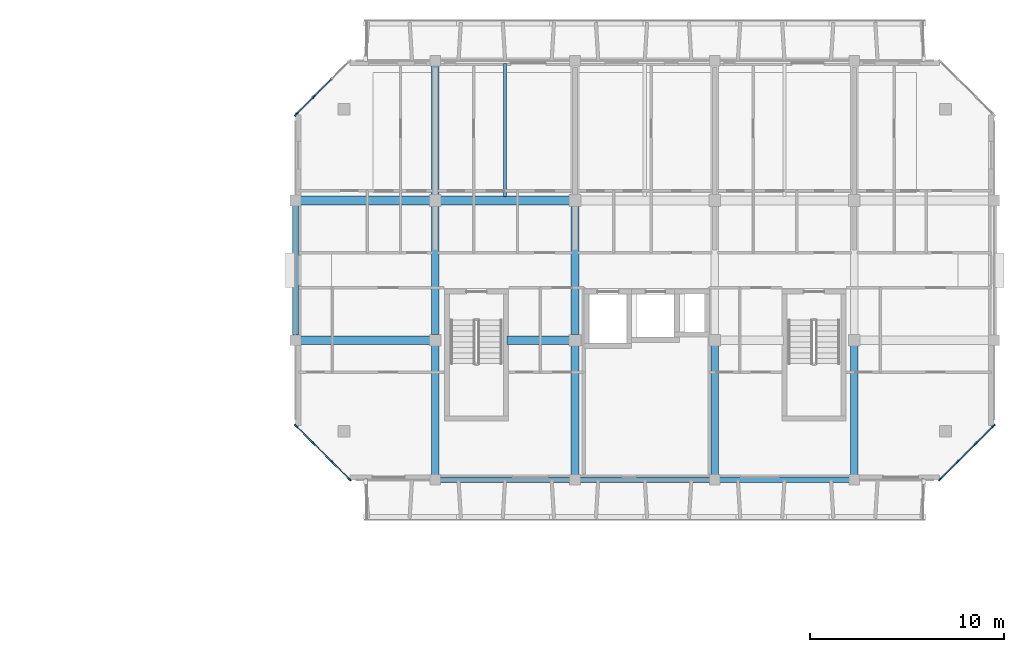
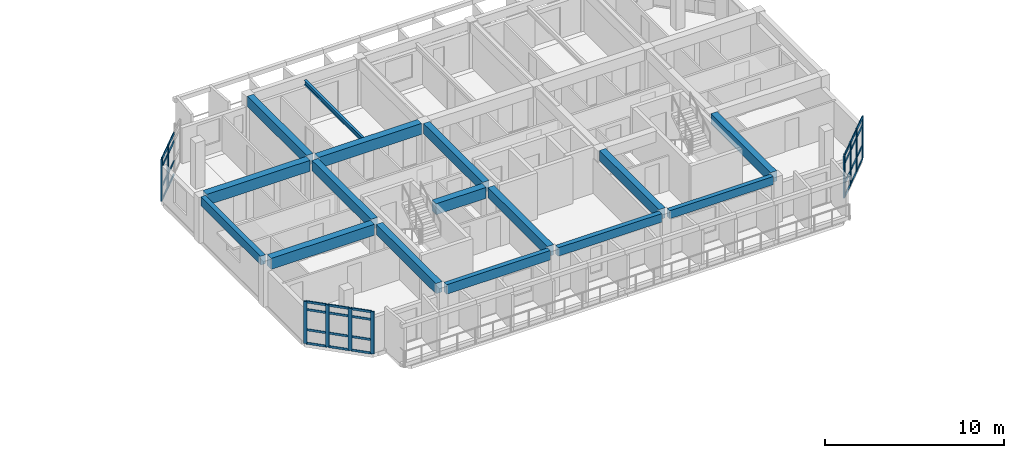
# One storey, part 10 of 51: 42 members, 16 beams, 3 elements without a shape of their own.
"""IFC4 building model written with IfcOpenShell, lengths in metres."""

from ifc_helpers import new_model, si_unit, direction, frame, origin, origin_2d, place, context, subcontext, project, spatial, rectangle, i_section, extrude, material, layer, layer_set, material_profile, profile_set, type_object, element, aggregate, save


model = new_model("IFC4")

# Units and contexts
model_context = context("Model", 3, precision=1e-05, world=origin(), true_north=direction((0.0, 1.0)))
body_context = subcontext(model_context, "Body", "Model", "MODEL_VIEW")
ifc_project = project(units=[si_unit("LENGTHUNIT", "METRE"), si_unit("AREAUNIT", "SQUARE_METRE"), si_unit("VOLUMEUNIT", "CUBIC_METRE"), si_unit("PLANEANGLEUNIT", "RADIAN"), si_unit("MASSUNIT", "GRAM", prefix="KILO")], contexts=[model_context])

# Site, building, storey
site_placement = place(None, origin())
site = spatial("IfcSite", under=ifc_project, at=site_placement, CompositionType="ELEMENT")
building_placement = place(site_placement, origin())
building = spatial("IfcBuilding", under=site, at=building_placement, Name="Ochrevale Crest", CompositionType="ELEMENT")
storey_placement = place(building_placement, frame((0.0, 0.0, 11.85009765625)))
storey = spatial("IfcBuildingStorey", under=building, at=storey_placement, Name="L03", CompositionType="ELEMENT", Elevation=11.85009765625)

# Beams
ifc_material_1 = material(Name="Precast concrete C50/60", Category="concrete")
ifc_material_profile_1 = material_profile(ifc_material_1, rectangle(XDim=0.39990234375, YDim=0.699951171875, at=origin_2d()), Name="PC 400x700")
ifc_profile_set_1 = profile_set([ifc_material_profile_1], Name="Precast concrete C50/60")
beam_type_1 = type_object("IfcBeamType", Name="BM-PC400x700", PredefinedType="BEAM", material=ifc_profile_set_1)
beam_1_placement = place(storey_placement, frame((136.800048828125, 72.2548828125, 2.7998046875), z_axis=(0.0, 1.0, 0.0), x_axis=(-1.0, 0.0, 0.0)))
element("IfcBeam", 1, at=beam_1_placement, inside=storey, type_object=beam_type_1, Name="Block D L03 N-S beam X=136.8", PredefinedType="BEAM", context=body_context, shape_type="SweptSolid", body=[
    extrude(rectangle(XDim=0.39990234375, YDim=0.699951171875, at=origin_2d()), origin(), (0.0, 0.0, 1.0), 6.6650390625),
])
beam_2_placement = place(storey_placement, frame((136.800048828125, 79.47998046875, 2.7998046875), z_axis=(0.0, 1.0, 0.0), x_axis=(-1.0, 0.0, 0.0)))
element("IfcBeam", 2, at=beam_2_placement, inside=storey, type_object=beam_type_1, Name="Block D L03 N-S beam X=136.8", PredefinedType="BEAM", context=body_context, shape_type="SweptSolid", body=[
    extrude(rectangle(XDim=0.39990234375, YDim=0.699951171875, at=origin_2d()), origin(), (0.0, 0.0, 1.0), 6.64013671875),
])
for number, where, z_axis, x_axis, name in (
    (3, (136.800048828125, 86.679931640625, 2.7998046875), (0.0, 1.0, 0.0), (-1.0, 0.0, 0.0), "Block D L03 N-S beam X=136.8"),
    (4, (144.0, 72.2548828125, 2.7998046875), (0.0, 1.0, 0.0), (-1.0, 0.0, 0.0), "Block D L03 N-S beam X=144.0"),
):
    element("IfcBeam", number, at=place(storey_placement, frame(where, z_axis=z_axis, x_axis=x_axis)), inside=storey, type_object=beam_type_1, Name=name, PredefinedType="BEAM", context=body_context, shape_type="SweptSolid", body=[
        extrude(rectangle(XDim=0.39990234375, YDim=0.699951171875, at=origin_2d()), origin(), (0.0, 0.0, 1.0), 6.6650390625),
    ])
beam_3_placement = place(storey_placement, frame((144.0, 79.47998046875, 2.7998046875), z_axis=(0.0, 1.0, 0.0), x_axis=(-1.0, 0.0, 0.0)))
element("IfcBeam", 5, at=beam_3_placement, inside=storey, type_object=beam_type_1, Name="Block D L03 N-S beam X=144.0", PredefinedType="BEAM", context=body_context, shape_type="SweptSolid", body=[
    extrude(rectangle(XDim=0.39990234375, YDim=0.699951171875, at=origin_2d()), origin(), (0.0, 0.0, 1.0), 6.64013671875),
])
for number, where, z_axis, x_axis, name in (
    (6, (151.199951171875, 72.2548828125, 2.7998046875), (0.0, 1.0, 0.0), (-1.0, 0.0, 0.0), "Block D L03 N-S beam X=151.2"),
    (7, (158.39990234375, 72.2548828125, 2.7998046875), (0.0, 1.0, 0.0), (-1.0, 0.0, 0.0), "Block D L03 N-S beam X=158.4"),
):
    element("IfcBeam", number, at=place(storey_placement, frame(where, z_axis=z_axis, x_axis=x_axis)), inside=storey, type_object=beam_type_1, Name=name, PredefinedType="BEAM", context=body_context, shape_type="SweptSolid", body=[
        extrude(rectangle(XDim=0.39990234375, YDim=0.699951171875, at=origin_2d()), origin(), (0.0, 0.0, 1.0), 6.6650390625),
    ])
ifc_material_2 = material(Name="Concrete C50/60", Category="concrete")
ifc_material_profile_2 = material_profile(ifc_material_2, rectangle(XDim=0.449951171875, YDim=0.75, at=origin_2d()), Name="RC 450x750")
ifc_profile_set_2 = profile_set([ifc_material_profile_2], Name="Concrete C50/60")
beam_type_2 = type_object("IfcBeamType", Name="BM-PG450x750", PredefinedType="USERDEFINED", material=ifc_profile_set_2)
beam_4_placement = place(storey_placement, frame((129.85009765625, 79.199951171875, 2.77490234375), z_axis=(1.0, 0.0, 0.0), x_axis=(0.0, 1.0, 0.0)))
element("IfcBeam", 8, at=beam_4_placement, inside=storey, type_object=beam_type_2, Name="Block D L03 E-W beam Y=79.2", ObjectType="GIRDER", PredefinedType="USERDEFINED", context=body_context, shape_type="SweptSolid", body=[
    extrude(rectangle(XDim=0.449951171875, YDim=0.75, at=origin_2d()), origin(), (0.0, 0.0, 1.0), 6.6748046875),
])
beam_5_placement = place(storey_placement, frame((140.489990234375, 79.199951171875, 2.77490234375), z_axis=(1.0, 0.0, 0.0), x_axis=(0.0, 1.0, 0.0)))
element("IfcBeam", 9, at=beam_5_placement, inside=storey, type_object=beam_type_2, Name="Block D L03 E-W beam Y=79.2", ObjectType="GIRDER", PredefinedType="USERDEFINED", context=body_context, shape_type="SweptSolid", body=[
    extrude(rectangle(XDim=0.449951171875, YDim=0.75, at=origin_2d()), origin(), (0.0, 0.0, 1.0), 3.235107421875),
])
beam_6_placement = place(storey_placement, frame((129.85009765625, 86.39990234375, 2.77490234375), z_axis=(1.0, 0.0, 0.0), x_axis=(0.0, 1.0, 0.0)))
element("IfcBeam", 10, at=beam_6_placement, inside=storey, type_object=beam_type_2, Name="Block D L03 E-W beam Y=86.4", ObjectType="GIRDER", PredefinedType="USERDEFINED", context=body_context, shape_type="SweptSolid", body=[
    extrude(rectangle(XDim=0.449951171875, YDim=0.75, at=origin_2d()), origin(), (0.0, 0.0, 1.0), 6.6748046875),
])
beam_7_placement = place(storey_placement, frame((137.074951171875, 86.39990234375, 2.77490234375), z_axis=(1.0, 0.0, 0.0), x_axis=(0.0, 1.0, 0.0)))
element("IfcBeam", 11, at=beam_7_placement, inside=storey, type_object=beam_type_2, Name="Block D L03 E-W beam Y=86.4", ObjectType="GIRDER", PredefinedType="USERDEFINED", context=body_context, shape_type="SweptSolid", body=[
    extrude(rectangle(XDim=0.449951171875, YDim=0.75, at=origin_2d()), origin(), (0.0, 0.0, 1.0), 6.650146484375),
])
ifc_material_3 = material(Name="Precast concrete C40/50", Category="concrete")
ifc_material_profile_3 = material_profile(ifc_material_3, rectangle(XDim=0.280029296875, YDim=0.550048828125, at=origin_2d()), Name="PC 280x550")
ifc_profile_set_3 = profile_set([ifc_material_profile_3], Name="Precast concrete C40/50")
beam_type_3 = type_object("IfcBeamType", Name="BM-SP280x550", PredefinedType="SPANDREL", material=ifc_profile_set_3)
beam_8_placement = place(storey_placement, frame((151.449951171875, 72.0, 2.875), z_axis=(1.0, 0.0, 0.0), x_axis=(0.0, 1.0, 0.0)))
element("IfcBeam", 12, at=beam_8_placement, inside=storey, type_object=beam_type_3, Name="Block D L03 E-W beam Y=72.0", PredefinedType="SPANDREL", context=body_context, shape_type="SweptSolid", body=[
    extrude(rectangle(XDim=0.280029296875, YDim=0.550048828125, at=origin_2d()), origin(), (0.0, 0.0, 1.0), 6.699951171875),
])
ifc_material_profile_4 = material_profile(ifc_material_3, rectangle(XDim=0.300048828125, YDim=0.580078125, at=origin_2d()), Name="PC 300x580")
ifc_profile_set_4 = profile_set([ifc_material_profile_4], Name="Precast concrete C40/50")
beam_type_4 = type_object("IfcBeamType", Name="BM-SP300x580", PredefinedType="SPANDREL", material=ifc_profile_set_4)
beam_9_placement = place(storey_placement, frame((144.25, 72.0, 2.85986328125), z_axis=(1.0, 0.0, 0.0), x_axis=(0.0, 1.0, 0.0)))
element("IfcBeam", 13, at=beam_9_placement, inside=storey, type_object=beam_type_4, Name="Block D L03 E-W beam Y=72.0", PredefinedType="SPANDREL", context=body_context, shape_type="SweptSolid", body=[
    extrude(rectangle(XDim=0.300048828125, YDim=0.580078125, at=origin_2d()), origin(), (0.0, 0.0, 1.0), 6.699951171875),
])
ifc_material_profile_5 = material_profile(ifc_material_3, rectangle(XDim=0.300048828125, YDim=0.60009765625, at=origin_2d()), Name="PC 300x600")
ifc_profile_set_5 = profile_set([ifc_material_profile_5], Name="Precast concrete C40/50")
beam_type_5 = type_object("IfcBeamType", Name="BM-SP300x600", PredefinedType="SPANDREL", material=ifc_profile_set_5)
beam_10_placement = place(storey_placement, frame((129.60009765625, 79.455078125, 2.849853515625), z_axis=(0.0, 1.0, 0.0), x_axis=(-1.0, 0.0, 0.0)))
element("IfcBeam", 14, at=beam_10_placement, inside=storey, type_object=beam_type_5, Name="Block D L03 N-S beam X=129.6", PredefinedType="SPANDREL", context=body_context, shape_type="SweptSolid", body=[
    extrude(rectangle(XDim=0.300048828125, YDim=0.60009765625, at=origin_2d()), origin(), (0.0, 0.0, 1.0), 6.68994140625),
])
ifc_material_profile_6 = material_profile(ifc_material_3, rectangle(XDim=0.300048828125, YDim=0.64990234375, at=origin_2d()), Name="PC 300x650")
ifc_profile_set_6 = profile_set([ifc_material_profile_6], Name="Precast concrete C40/50")
beam_type_6 = type_object("IfcBeamType", Name="BM-SP300x650", PredefinedType="SPANDREL", material=ifc_profile_set_6)
beam_11_placement = place(storey_placement, frame((137.050048828125, 72.0, 2.824951171875), z_axis=(1.0, 0.0, 0.0), x_axis=(0.0, 1.0, 0.0)))
element("IfcBeam", 15, at=beam_11_placement, inside=storey, type_object=beam_type_6, Name="Block D L03 E-W beam Y=72.0", PredefinedType="SPANDREL", context=body_context, shape_type="SweptSolid", body=[
    extrude(rectangle(XDim=0.300048828125, YDim=0.64990234375, at=origin_2d()), origin(), (0.0, 0.0, 1.0), 6.699951171875),
])
ifc_material_4 = material(Name="Steel S355", Category="steel")
ifc_material_profile_7 = material_profile(ifc_material_4, i_section(OverallWidth=0.1650390625, OverallDepth=0.3037109375, WebThickness=0.006103515625, FlangeThickness=0.01025390625, FilletRadius=0.011474609375, at=origin_2d()), Name="310UB40.4")
ifc_profile_set_7 = profile_set([ifc_material_profile_7], Name="Steel S355")
beam_type_7 = type_object("IfcBeamType", Name="BM-UB310A", PredefinedType="BEAM", material=ifc_profile_set_7)
beam_12_placement = place(storey_placement, frame((140.39990234375, 86.613037109375, 2.722900390625), z_axis=(0.0, 1.0, 0.0), x_axis=(-1.0, 0.0, 0.0)))
element("IfcBeam", 16, at=beam_12_placement, inside=storey, type_object=beam_type_7, Name="Block D L03 composite plank trimmer beam 2", PredefinedType="BEAM", context=body_context, shape_type="SweptSolid", body=[
    extrude(i_section(OverallWidth=0.1650390625, OverallDepth=0.3037109375, WebThickness=0.006103515625, FlangeThickness=0.01025390625, FilletRadius=0.011474609375, at=origin_2d()), origin(), (0.0, 0.0, 1.0), 6.848876953125),
])

# Curtain wall, members
ifc_material_5 = material(Name="Anodised aluminium 6063-T5", Category="aluminium")
ifc_layer_1 = layer(ifc_material_5, 0.14990234375)
ifc_layer_set_1 = layer_set([ifc_layer_1], Name="Anodised aluminium 6063-T5")
curtain_wall_type_1 = type_object("IfcCurtainWallType", Name="CW-WG-240x285", PredefinedType="NOTDEFINED", material=ifc_layer_set_1)
curtain_wall_1_placement = place(storey_placement, origin())
curtain_wall_1 = element("IfcCurtainWall", 17, at=curtain_wall_1_placement, inside=storey, type_object=curtain_wall_type_1, Name="Block D L03 chamfered corner wintergarden curtain wall 2", PredefinedType="NOTDEFINED")
ifc_material_profile_8 = material_profile(ifc_material_5, rectangle(XDim=0.074951171875, YDim=0.219970703125, at=origin_2d()), Name="ALU 75x220")
ifc_profile_set_8 = profile_set([ifc_material_profile_8], Name="Anodised aluminium 6063-T5")
member_type_1 = type_object("IfcMemberType", Name="CW-MUL-75x220", PredefinedType="MULLION", material=ifc_profile_set_8)
member_1_placement = place(storey_placement, frame((162.826416015625, 72.026611328125, 0.0), z_axis=(0.0, 0.0, 1.0), x_axis=(-0.707106781187, 0.707106781187, 0.0)))
member_1 = element("IfcMember", 18, at=member_1_placement, type_object=member_type_1, Name="CW15 mullion 1", PredefinedType="MULLION", context=body_context, shape_type="SweptSolid", body=[
    extrude(rectangle(XDim=0.074951171875, YDim=0.219970703125, at=origin_2d()), origin(), (0.0, 0.0, 1.0), 2.875),
])
member_2_placement = place(storey_placement, frame((163.7333984375, 72.933349609375, 0.0), z_axis=(0.0, 0.0, 1.0), x_axis=(-0.707106781187, 0.707106781187, 0.0)))
member_2 = element("IfcMember", 19, at=member_2_placement, type_object=member_type_1, Name="CW15 mullion 2", PredefinedType="MULLION", context=body_context, shape_type="SweptSolid", body=[
    extrude(rectangle(XDim=0.074951171875, YDim=0.219970703125, at=origin_2d()), origin(), (0.0, 0.0, 1.0), 2.875),
])
member_3_placement = place(storey_placement, frame((164.666748046875, 73.86669921875, 0.0), z_axis=(0.0, 0.0, 1.0), x_axis=(-0.707106781187, 0.707106781187, 0.0)))
member_3 = element("IfcMember", 20, at=member_3_placement, type_object=member_type_1, Name="CW15 mullion 3", PredefinedType="MULLION", context=body_context, shape_type="SweptSolid", body=[
    extrude(rectangle(XDim=0.074951171875, YDim=0.219970703125, at=origin_2d()), origin(), (0.0, 0.0, 1.0), 2.875),
])
member_4_placement = place(storey_placement, frame((165.573486328125, 74.7734375, 0.0), z_axis=(0.0, 0.0, 1.0), x_axis=(-0.707106781187, 0.707106781187, 0.0)))
member_4 = element("IfcMember", 21, at=member_4_placement, type_object=member_type_1, Name="CW15 mullion 4", PredefinedType="MULLION", context=body_context, shape_type="SweptSolid", body=[
    extrude(rectangle(XDim=0.074951171875, YDim=0.219970703125, at=origin_2d()), origin(), (0.0, 0.0, 1.0), 2.875),
])

ifc_layer_2 = layer(ifc_material_5, 0.14990234375)
ifc_layer_set_2 = layer_set([ifc_layer_2], Name="Anodised aluminium 6063-T5")
curtain_wall_type_2 = type_object("IfcCurtainWallType", Name="CW-WG-420x285", PredefinedType="NOTDEFINED", material=ifc_layer_set_2)
curtain_wall_2_placement = place(storey_placement, origin())
curtain_wall_2 = element("IfcCurtainWall", 22, at=curtain_wall_2_placement, inside=storey, type_object=curtain_wall_type_2, Name="Block D L03 chamfered corner wintergarden curtain wall 6", PredefinedType="NOTDEFINED")
member_5_placement = place(storey_placement, frame((130.533447265625, 91.7333984375, 0.0), z_axis=(0.0, 0.0, 1.0), x_axis=(0.707106781187, -0.707106781187, 0.0)))
member_5 = element("IfcMember", 23, at=member_5_placement, type_object=member_type_1, Name="CW22 mullion 3", PredefinedType="MULLION", context=body_context, shape_type="SweptSolid", body=[
    extrude(rectangle(XDim=0.074951171875, YDim=0.219970703125, at=origin_2d()), origin(), (0.0, 0.0, 1.0), 2.875),
])
member_6_placement = place(storey_placement, frame((129.62646484375, 90.826416015625, 0.0), z_axis=(0.0, 0.0, 1.0), x_axis=(0.707106781187, -0.707106781187, 0.0)))
member_6 = element("IfcMember", 24, at=member_6_placement, type_object=member_type_1, Name="CW22 mullion 4", PredefinedType="MULLION", context=body_context, shape_type="SweptSolid", body=[
    extrude(rectangle(XDim=0.074951171875, YDim=0.219970703125, at=origin_2d()), origin(), (0.0, 0.0, 1.0), 2.875),
])

ifc_layer_3 = layer(ifc_material_5, 0.14990234375)
ifc_layer_set_3 = layer_set([ifc_layer_3], Name="Anodised aluminium 6063-T5")
curtain_wall_type_3 = type_object("IfcCurtainWallType", Name="CW-WG-280x285", PredefinedType="NOTDEFINED", material=ifc_layer_set_3)
curtain_wall_3_placement = place(storey_placement, origin())
curtain_wall_3 = element("IfcCurtainWall", 25, at=curtain_wall_3_placement, inside=storey, type_object=curtain_wall_type_3, Name="Block D L03 chamfered corner wintergarden curtain wall 8", PredefinedType="NOTDEFINED")
member_7_placement = place(storey_placement, frame((129.62646484375, 74.7734375, 0.0), z_axis=(0.0, 0.0, 1.0), x_axis=(0.707106781187, 0.707106781187, 0.0)))
member_7 = element("IfcMember", 26, at=member_7_placement, type_object=member_type_1, Name="CW16 mullion 1", PredefinedType="MULLION", context=body_context, shape_type="SweptSolid", body=[
    extrude(rectangle(XDim=0.074951171875, YDim=0.219970703125, at=origin_2d()), origin(), (0.0, 0.0, 1.0), 2.875),
])
member_8_placement = place(storey_placement, frame((130.533447265625, 73.86669921875, 0.0), z_axis=(0.0, 0.0, 1.0), x_axis=(0.707106781187, 0.707106781187, 0.0)))
member_8 = element("IfcMember", 27, at=member_8_placement, type_object=member_type_1, Name="CW16 mullion 2", PredefinedType="MULLION", context=body_context, shape_type="SweptSolid", body=[
    extrude(rectangle(XDim=0.074951171875, YDim=0.219970703125, at=origin_2d()), origin(), (0.0, 0.0, 1.0), 2.875),
])
member_9_placement = place(storey_placement, frame((131.466552734375, 72.933349609375, 0.0), z_axis=(0.0, 0.0, 1.0), x_axis=(0.707106781187, 0.707106781187, 0.0)))
member_9 = element("IfcMember", 28, at=member_9_placement, type_object=member_type_1, Name="CW16 mullion 3", PredefinedType="MULLION", context=body_context, shape_type="SweptSolid", body=[
    extrude(rectangle(XDim=0.074951171875, YDim=0.219970703125, at=origin_2d()), origin(), (0.0, 0.0, 1.0), 2.875),
])
member_10_placement = place(storey_placement, frame((132.37353515625, 72.026611328125, 0.0), z_axis=(0.0, 0.0, 1.0), x_axis=(0.707106781187, 0.707106781187, 0.0)))
member_10 = element("IfcMember", 29, at=member_10_placement, type_object=member_type_1, Name="CW16 mullion 4", PredefinedType="MULLION", context=body_context, shape_type="SweptSolid", body=[
    extrude(rectangle(XDim=0.074951171875, YDim=0.219970703125, at=origin_2d()), origin(), (0.0, 0.0, 1.0), 2.875),
])

# Member
ifc_material_profile_9 = material_profile(ifc_material_5, rectangle(XDim=0.06005859375, YDim=0.14990234375, at=origin_2d()), Name="ALU 60x150")
ifc_profile_set_9 = profile_set([ifc_material_profile_9], Name="Anodised aluminium 6063-T5")
member_type_2 = type_object("IfcMemberType", Name="CW-TRN-60x150", PredefinedType="USERDEFINED", material=ifc_profile_set_9)
member_11_placement = place(storey_placement, frame((162.85302734375, 72.052978515625, 0.02978515625), z_axis=(0.707106781187, 0.707106781187, 0.0), x_axis=(-0.707106781187, 0.707106781187, 0.0)))
member_11 = element("IfcMember", 30, at=member_11_placement, type_object=member_type_2, Name="CW15 transom 1.1", ObjectType="TRANSOM", PredefinedType="USERDEFINED", context=body_context, shape_type="SweptSolid", body=[
    extrude(rectangle(XDim=0.06005859375, YDim=0.14990234375, at=origin_2d()), origin(), (0.0, 0.0, 1.0), 1.20751953125),
])

member_12_placement = place(storey_placement, frame((162.85302734375, 72.052978515625, 0.949951171875), z_axis=(0.707106781187, 0.707106781187, 0.0), x_axis=(-0.707106781187, 0.707106781187, 0.0)))
member_12 = element("IfcMember", 31, at=member_12_placement, type_object=member_type_2, Name="CW15 transom 1.2", ObjectType="TRANSOM", PredefinedType="USERDEFINED", context=body_context, shape_type="SweptSolid", body=[
    extrude(rectangle(XDim=0.06005859375, YDim=0.14990234375, at=origin_2d()), origin(), (0.0, 0.0, 1.0), 1.20751953125),
])

member_13_placement = place(storey_placement, frame((162.85302734375, 72.052978515625, 2.324951171875), z_axis=(0.707106781187, 0.707106781187, 0.0), x_axis=(-0.707106781187, 0.707106781187, 0.0)))
member_13 = element("IfcMember", 32, at=member_13_placement, type_object=member_type_2, Name="CW15 transom 1.3", ObjectType="TRANSOM", PredefinedType="USERDEFINED", context=body_context, shape_type="SweptSolid", body=[
    extrude(rectangle(XDim=0.06005859375, YDim=0.14990234375, at=origin_2d()), origin(), (0.0, 0.0, 1.0), 1.20751953125),
])

member_14_placement = place(storey_placement, frame((162.85302734375, 72.052978515625, 2.844970703125), z_axis=(0.707106781187, 0.707106781187, 0.0), x_axis=(-0.707106781187, 0.707106781187, 0.0)))
member_14 = element("IfcMember", 33, at=member_14_placement, type_object=member_type_2, Name="CW15 transom 1.4", ObjectType="TRANSOM", PredefinedType="USERDEFINED", context=body_context, shape_type="SweptSolid", body=[
    extrude(rectangle(XDim=0.06005859375, YDim=0.14990234375, at=origin_2d()), origin(), (0.0, 0.0, 1.0), 1.20751953125),
])

member_15_placement = place(storey_placement, frame((163.759765625, 72.9599609375, 0.02978515625), z_axis=(0.707204833848, 0.707008714926, 0.0), x_axis=(-0.707008714926, 0.707204833848, 0.0)))
member_15 = element("IfcMember", 34, at=member_15_placement, type_object=member_type_2, Name="CW15 transom 2.1", ObjectType="TRANSOM", PredefinedType="USERDEFINED", context=body_context, shape_type="SweptSolid", body=[
    extrude(rectangle(XDim=0.06005859375, YDim=0.14990234375, at=origin_2d()), origin(), (0.0, 0.0, 1.0), 1.244873046875),
])

member_16_placement = place(storey_placement, frame((163.759765625, 72.9599609375, 0.949951171875), z_axis=(0.707204833848, 0.707008714926, 0.0), x_axis=(-0.707008714926, 0.707204833848, 0.0)))
member_16 = element("IfcMember", 35, at=member_16_placement, type_object=member_type_2, Name="CW15 transom 2.2", ObjectType="TRANSOM", PredefinedType="USERDEFINED", context=body_context, shape_type="SweptSolid", body=[
    extrude(rectangle(XDim=0.06005859375, YDim=0.14990234375, at=origin_2d()), origin(), (0.0, 0.0, 1.0), 1.244873046875),
])

member_17_placement = place(storey_placement, frame((163.759765625, 72.9599609375, 2.324951171875), z_axis=(0.707204833848, 0.707008714926, 0.0), x_axis=(-0.707008714926, 0.707204833848, 0.0)))
member_17 = element("IfcMember", 36, at=member_17_placement, type_object=member_type_2, Name="CW15 transom 2.3", ObjectType="TRANSOM", PredefinedType="USERDEFINED", context=body_context, shape_type="SweptSolid", body=[
    extrude(rectangle(XDim=0.06005859375, YDim=0.14990234375, at=origin_2d()), origin(), (0.0, 0.0, 1.0), 1.244873046875),
])

member_18_placement = place(storey_placement, frame((163.759765625, 72.9599609375, 2.844970703125), z_axis=(0.707204833848, 0.707008714926, 0.0), x_axis=(-0.707008714926, 0.707204833848, 0.0)))
member_18 = element("IfcMember", 37, at=member_18_placement, type_object=member_type_2, Name="CW15 transom 2.4", ObjectType="TRANSOM", PredefinedType="USERDEFINED", context=body_context, shape_type="SweptSolid", body=[
    extrude(rectangle(XDim=0.06005859375, YDim=0.14990234375, at=origin_2d()), origin(), (0.0, 0.0, 1.0), 1.244873046875),
])

member_19_placement = place(storey_placement, frame((164.693115234375, 73.89306640625, 0.02978515625), z_axis=(0.707005686502, 0.70720786142, 0.0), x_axis=(-0.70720786142, 0.707005686502, 0.0)))
member_19 = element("IfcMember", 38, at=member_19_placement, type_object=member_type_2, Name="CW15 transom 3.1", ObjectType="TRANSOM", PredefinedType="USERDEFINED", context=body_context, shape_type="SweptSolid", body=[
    extrude(rectangle(XDim=0.06005859375, YDim=0.14990234375, at=origin_2d()), origin(), (0.0, 0.0, 1.0), 1.20751953125),
])

member_20_placement = place(storey_placement, frame((164.693115234375, 73.89306640625, 0.949951171875), z_axis=(0.707005686502, 0.70720786142, 0.0), x_axis=(-0.70720786142, 0.707005686502, 0.0)))
member_20 = element("IfcMember", 39, at=member_20_placement, type_object=member_type_2, Name="CW15 transom 3.2", ObjectType="TRANSOM", PredefinedType="USERDEFINED", context=body_context, shape_type="SweptSolid", body=[
    extrude(rectangle(XDim=0.06005859375, YDim=0.14990234375, at=origin_2d()), origin(), (0.0, 0.0, 1.0), 1.20751953125),
])

member_21_placement = place(storey_placement, frame((164.693115234375, 73.89306640625, 2.324951171875), z_axis=(0.707005686502, 0.70720786142, 0.0), x_axis=(-0.70720786142, 0.707005686502, 0.0)))
member_21 = element("IfcMember", 40, at=member_21_placement, type_object=member_type_2, Name="CW15 transom 3.3", ObjectType="TRANSOM", PredefinedType="USERDEFINED", context=body_context, shape_type="SweptSolid", body=[
    extrude(rectangle(XDim=0.06005859375, YDim=0.14990234375, at=origin_2d()), origin(), (0.0, 0.0, 1.0), 1.20751953125),
])

member_22_placement = place(storey_placement, frame((164.693115234375, 73.89306640625, 2.844970703125), z_axis=(0.707005686502, 0.70720786142, 0.0), x_axis=(-0.70720786142, 0.707005686502, 0.0)))
member_22 = element("IfcMember", 41, at=member_22_placement, type_object=member_type_2, Name="CW15 transom 3.4", ObjectType="TRANSOM", PredefinedType="USERDEFINED", context=body_context, shape_type="SweptSolid", body=[
    extrude(rectangle(XDim=0.06005859375, YDim=0.14990234375, at=origin_2d()), origin(), (0.0, 0.0, 1.0), 1.20751953125),
])

aggregate(curtain_wall_1, [member_1, member_2, member_3, member_4, member_11, member_12, member_13, member_14, member_15, member_16, member_17, member_18, member_19, member_20, member_21, member_22])

member_23_placement = place(storey_placement, frame((131.440185546875, 92.64013671875, 0.02978515625), z_axis=(-0.707106781187, -0.707106781187, 0.0), x_axis=(0.707106781187, -0.707106781187, 0.0)))
member_23 = element("IfcMember", 42, at=member_23_placement, type_object=member_type_2, Name="CW22 transom 2.1", ObjectType="TRANSOM", PredefinedType="USERDEFINED", context=body_context, shape_type="SweptSolid", body=[
    extrude(rectangle(XDim=0.06005859375, YDim=0.14990234375, at=origin_2d()), origin(), (0.0, 0.0, 1.0), 1.2451171875),
])

member_24_placement = place(storey_placement, frame((131.440185546875, 92.64013671875, 0.949951171875), z_axis=(-0.707106781187, -0.707106781187, 0.0), x_axis=(0.707106781187, -0.707106781187, 0.0)))
member_24 = element("IfcMember", 43, at=member_24_placement, type_object=member_type_2, Name="CW22 transom 2.2", ObjectType="TRANSOM", PredefinedType="USERDEFINED", context=body_context, shape_type="SweptSolid", body=[
    extrude(rectangle(XDim=0.06005859375, YDim=0.14990234375, at=origin_2d()), origin(), (0.0, 0.0, 1.0), 1.2451171875),
])

member_25_placement = place(storey_placement, frame((131.440185546875, 92.64013671875, 2.324951171875), z_axis=(-0.707106781187, -0.707106781187, 0.0), x_axis=(0.707106781187, -0.707106781187, 0.0)))
member_25 = element("IfcMember", 44, at=member_25_placement, type_object=member_type_2, Name="CW22 transom 2.3", ObjectType="TRANSOM", PredefinedType="USERDEFINED", context=body_context, shape_type="SweptSolid", body=[
    extrude(rectangle(XDim=0.06005859375, YDim=0.14990234375, at=origin_2d()), origin(), (0.0, 0.0, 1.0), 1.2451171875),
])

member_26_placement = place(storey_placement, frame((131.440185546875, 92.64013671875, 2.844970703125), z_axis=(-0.707106781187, -0.707106781187, 0.0), x_axis=(0.707106781187, -0.707106781187, 0.0)))
member_26 = element("IfcMember", 45, at=member_26_placement, type_object=member_type_2, Name="CW22 transom 2.4", ObjectType="TRANSOM", PredefinedType="USERDEFINED", context=body_context, shape_type="SweptSolid", body=[
    extrude(rectangle(XDim=0.06005859375, YDim=0.14990234375, at=origin_2d()), origin(), (0.0, 0.0, 1.0), 1.2451171875),
])

member_27_placement = place(storey_placement, frame((130.5068359375, 91.706787109375, 0.02978515625), z_axis=(-0.707106781187, -0.707106781187, 0.0), x_axis=(0.707106781187, -0.707106781187, 0.0)))
member_27 = element("IfcMember", 46, at=member_27_placement, type_object=member_type_2, Name="CW22 transom 3.1", ObjectType="TRANSOM", PredefinedType="USERDEFINED", context=body_context, shape_type="SweptSolid", body=[
    extrude(rectangle(XDim=0.06005859375, YDim=0.14990234375, at=origin_2d()), origin(), (0.0, 0.0, 1.0), 1.20751953125),
])

member_28_placement = place(storey_placement, frame((130.5068359375, 91.706787109375, 0.949951171875), z_axis=(-0.707106781187, -0.707106781187, 0.0), x_axis=(0.707106781187, -0.707106781187, 0.0)))
member_28 = element("IfcMember", 47, at=member_28_placement, type_object=member_type_2, Name="CW22 transom 3.2", ObjectType="TRANSOM", PredefinedType="USERDEFINED", context=body_context, shape_type="SweptSolid", body=[
    extrude(rectangle(XDim=0.06005859375, YDim=0.14990234375, at=origin_2d()), origin(), (0.0, 0.0, 1.0), 1.20751953125),
])

member_29_placement = place(storey_placement, frame((130.5068359375, 91.706787109375, 2.324951171875), z_axis=(-0.707106781187, -0.707106781187, 0.0), x_axis=(0.707106781187, -0.707106781187, 0.0)))
member_29 = element("IfcMember", 48, at=member_29_placement, type_object=member_type_2, Name="CW22 transom 3.3", ObjectType="TRANSOM", PredefinedType="USERDEFINED", context=body_context, shape_type="SweptSolid", body=[
    extrude(rectangle(XDim=0.06005859375, YDim=0.14990234375, at=origin_2d()), origin(), (0.0, 0.0, 1.0), 1.20751953125),
])

member_30_placement = place(storey_placement, frame((130.5068359375, 91.706787109375, 2.844970703125), z_axis=(-0.707106781187, -0.707106781187, 0.0), x_axis=(0.707106781187, -0.707106781187, 0.0)))
member_30 = element("IfcMember", 49, at=member_30_placement, type_object=member_type_2, Name="CW22 transom 3.4", ObjectType="TRANSOM", PredefinedType="USERDEFINED", context=body_context, shape_type="SweptSolid", body=[
    extrude(rectangle(XDim=0.06005859375, YDim=0.14990234375, at=origin_2d()), origin(), (0.0, 0.0, 1.0), 1.20751953125),
])

aggregate(curtain_wall_2, [member_5, member_6, member_23, member_24, member_25, member_26, member_27, member_28, member_29, member_30])

member_31_placement = place(storey_placement, frame((129.653076171875, 74.7470703125, 0.02978515625), z_axis=(0.707005686502, -0.70720786142, 0.0), x_axis=(0.70720786142, 0.707005686502, 0.0)))
member_31 = element("IfcMember", 50, at=member_31_placement, type_object=member_type_2, Name="CW16 transom 1.1", ObjectType="TRANSOM", PredefinedType="USERDEFINED", context=body_context, shape_type="SweptSolid", body=[
    extrude(rectangle(XDim=0.06005859375, YDim=0.14990234375, at=origin_2d()), origin(), (0.0, 0.0, 1.0), 1.20751953125),
])

member_32_placement = place(storey_placement, frame((129.653076171875, 74.7470703125, 0.949951171875), z_axis=(0.707005686502, -0.70720786142, 0.0), x_axis=(0.70720786142, 0.707005686502, 0.0)))
member_32 = element("IfcMember", 51, at=member_32_placement, type_object=member_type_2, Name="CW16 transom 1.2", ObjectType="TRANSOM", PredefinedType="USERDEFINED", context=body_context, shape_type="SweptSolid", body=[
    extrude(rectangle(XDim=0.06005859375, YDim=0.14990234375, at=origin_2d()), origin(), (0.0, 0.0, 1.0), 1.20751953125),
])

member_33_placement = place(storey_placement, frame((129.653076171875, 74.7470703125, 2.324951171875), z_axis=(0.707005686502, -0.70720786142, 0.0), x_axis=(0.70720786142, 0.707005686502, 0.0)))
member_33 = element("IfcMember", 52, at=member_33_placement, type_object=member_type_2, Name="CW16 transom 1.3", ObjectType="TRANSOM", PredefinedType="USERDEFINED", context=body_context, shape_type="SweptSolid", body=[
    extrude(rectangle(XDim=0.06005859375, YDim=0.14990234375, at=origin_2d()), origin(), (0.0, 0.0, 1.0), 1.20751953125),
])

member_34_placement = place(storey_placement, frame((129.653076171875, 74.7470703125, 2.844970703125), z_axis=(0.707005686502, -0.70720786142, 0.0), x_axis=(0.70720786142, 0.707005686502, 0.0)))
member_34 = element("IfcMember", 53, at=member_34_placement, type_object=member_type_2, Name="CW16 transom 1.4", ObjectType="TRANSOM", PredefinedType="USERDEFINED", context=body_context, shape_type="SweptSolid", body=[
    extrude(rectangle(XDim=0.06005859375, YDim=0.14990234375, at=origin_2d()), origin(), (0.0, 0.0, 1.0), 1.20751953125),
])

member_35_placement = place(storey_placement, frame((130.559814453125, 73.840087890625, 0.02978515625), z_axis=(0.707204833848, -0.707008714926, 0.0), x_axis=(0.707008714926, 0.707204833848, 0.0)))
member_35 = element("IfcMember", 54, at=member_35_placement, type_object=member_type_2, Name="CW16 transom 2.1", ObjectType="TRANSOM", PredefinedType="USERDEFINED", context=body_context, shape_type="SweptSolid", body=[
    extrude(rectangle(XDim=0.06005859375, YDim=0.14990234375, at=origin_2d()), origin(), (0.0, 0.0, 1.0), 1.244873046875),
])

member_36_placement = place(storey_placement, frame((130.559814453125, 73.840087890625, 0.949951171875), z_axis=(0.707204833848, -0.707008714926, 0.0), x_axis=(0.707008714926, 0.707204833848, 0.0)))
member_36 = element("IfcMember", 55, at=member_36_placement, type_object=member_type_2, Name="CW16 transom 2.2", ObjectType="TRANSOM", PredefinedType="USERDEFINED", context=body_context, shape_type="SweptSolid", body=[
    extrude(rectangle(XDim=0.06005859375, YDim=0.14990234375, at=origin_2d()), origin(), (0.0, 0.0, 1.0), 1.244873046875),
])

member_37_placement = place(storey_placement, frame((130.559814453125, 73.840087890625, 2.324951171875), z_axis=(0.707204833848, -0.707008714926, 0.0), x_axis=(0.707008714926, 0.707204833848, 0.0)))
member_37 = element("IfcMember", 56, at=member_37_placement, type_object=member_type_2, Name="CW16 transom 2.3", ObjectType="TRANSOM", PredefinedType="USERDEFINED", context=body_context, shape_type="SweptSolid", body=[
    extrude(rectangle(XDim=0.06005859375, YDim=0.14990234375, at=origin_2d()), origin(), (0.0, 0.0, 1.0), 1.244873046875),
])

member_38_placement = place(storey_placement, frame((130.559814453125, 73.840087890625, 2.844970703125), z_axis=(0.707204833848, -0.707008714926, 0.0), x_axis=(0.707008714926, 0.707204833848, 0.0)))
member_38 = element("IfcMember", 57, at=member_38_placement, type_object=member_type_2, Name="CW16 transom 2.4", ObjectType="TRANSOM", PredefinedType="USERDEFINED", context=body_context, shape_type="SweptSolid", body=[
    extrude(rectangle(XDim=0.06005859375, YDim=0.14990234375, at=origin_2d()), origin(), (0.0, 0.0, 1.0), 1.244873046875),
])

member_39_placement = place(storey_placement, frame((131.4931640625, 72.90673828125, 0.02978515625), z_axis=(0.707106781187, -0.707106781187, 0.0), x_axis=(0.707106781187, 0.707106781187, 0.0)))
member_39 = element("IfcMember", 58, at=member_39_placement, type_object=member_type_2, Name="CW16 transom 3.1", ObjectType="TRANSOM", PredefinedType="USERDEFINED", context=body_context, shape_type="SweptSolid", body=[
    extrude(rectangle(XDim=0.06005859375, YDim=0.14990234375, at=origin_2d()), origin(), (0.0, 0.0, 1.0), 1.20751953125),
])

member_40_placement = place(storey_placement, frame((131.4931640625, 72.90673828125, 0.949951171875), z_axis=(0.707106781187, -0.707106781187, 0.0), x_axis=(0.707106781187, 0.707106781187, 0.0)))
member_40 = element("IfcMember", 59, at=member_40_placement, type_object=member_type_2, Name="CW16 transom 3.2", ObjectType="TRANSOM", PredefinedType="USERDEFINED", context=body_context, shape_type="SweptSolid", body=[
    extrude(rectangle(XDim=0.06005859375, YDim=0.14990234375, at=origin_2d()), origin(), (0.0, 0.0, 1.0), 1.20751953125),
])

member_41_placement = place(storey_placement, frame((131.4931640625, 72.90673828125, 2.324951171875), z_axis=(0.707106781187, -0.707106781187, 0.0), x_axis=(0.707106781187, 0.707106781187, 0.0)))
member_41 = element("IfcMember", 60, at=member_41_placement, type_object=member_type_2, Name="CW16 transom 3.3", ObjectType="TRANSOM", PredefinedType="USERDEFINED", context=body_context, shape_type="SweptSolid", body=[
    extrude(rectangle(XDim=0.06005859375, YDim=0.14990234375, at=origin_2d()), origin(), (0.0, 0.0, 1.0), 1.20751953125),
])

member_42_placement = place(storey_placement, frame((131.4931640625, 72.90673828125, 2.844970703125), z_axis=(0.707106781187, -0.707106781187, 0.0), x_axis=(0.707106781187, 0.707106781187, 0.0)))
member_42 = element("IfcMember", 61, at=member_42_placement, type_object=member_type_2, Name="CW16 transom 3.4", ObjectType="TRANSOM", PredefinedType="USERDEFINED", context=body_context, shape_type="SweptSolid", body=[
    extrude(rectangle(XDim=0.06005859375, YDim=0.14990234375, at=origin_2d()), origin(), (0.0, 0.0, 1.0), 1.20751953125),
])

aggregate(curtain_wall_3, [member_7, member_8, member_9, member_10, member_31, member_32, member_33, member_34, member_35, member_36, member_37, member_38, member_39, member_40, member_41, member_42])

save(model, "model.ifc")
